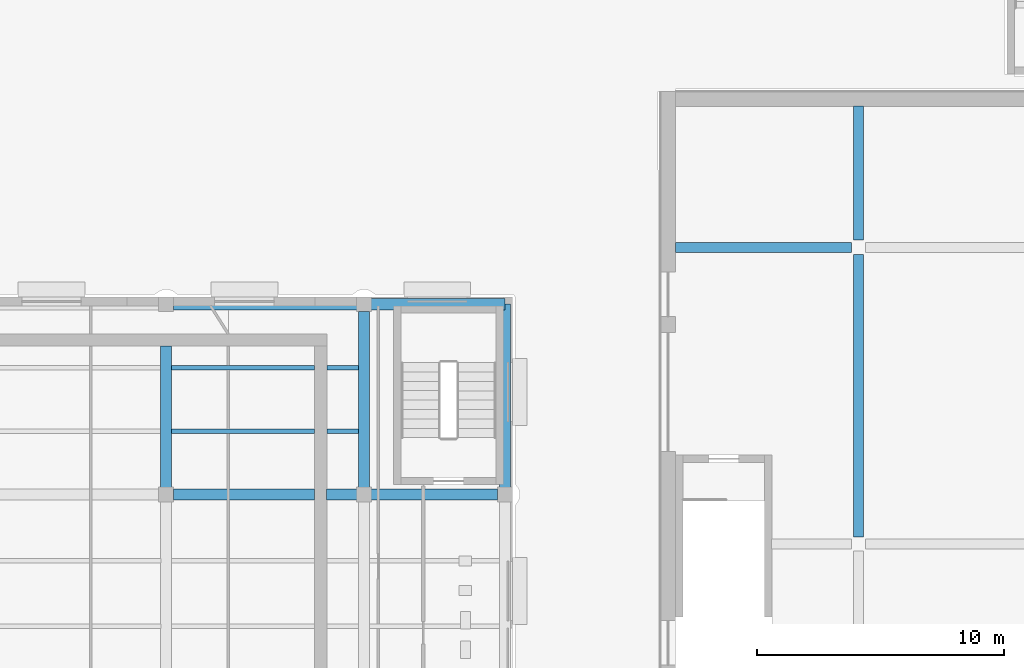
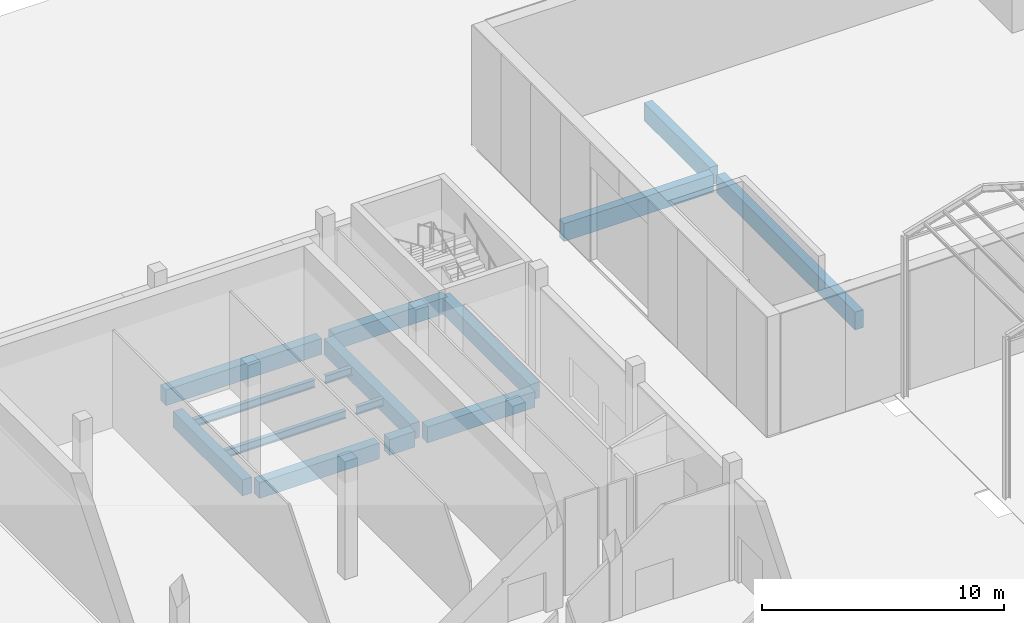
# One storey, part 43 of 155: 15 beams.
"""IFC4 building model written with IfcOpenShell, lengths in metres."""

from ifc_helpers import new_model, si_unit, direction, frame, origin, origin_2d, place, context, subcontext, project, spatial, rectangle, i_section, extrude, material, material_profile, profile_set, type_object, element, save


model = new_model("IFC4")

# Units and contexts
model_context = context("Model", 3, precision=1e-05, world=origin(), true_north=direction((0.0, 1.0)))
body_context = subcontext(model_context, "Body", "Model", "MODEL_VIEW")
ifc_project = project(units=[si_unit("LENGTHUNIT", "METRE"), si_unit("AREAUNIT", "SQUARE_METRE"), si_unit("VOLUMEUNIT", "CUBIC_METRE"), si_unit("PLANEANGLEUNIT", "RADIAN"), si_unit("MASSUNIT", "GRAM", prefix="KILO")], contexts=[model_context])

# Site, building, storey
site_placement = place(None, origin())
site = spatial("IfcSite", under=ifc_project, at=site_placement, CompositionType="ELEMENT")
building_placement = place(site_placement, origin())
building = spatial("IfcBuilding", under=site, at=building_placement, Name="Lunette Opera House", CompositionType="ELEMENT")
storey_placement = place(building_placement, origin())
storey = spatial("IfcBuildingStorey", under=building, at=storey_placement, Name="L00", CompositionType="ELEMENT", Elevation=0.0)

# Beams
ifc_material_1 = material(Name="Concrete C35/45", Category="concrete")
ifc_material_profile_1 = material_profile(ifc_material_1, rectangle(XDim=0.39990234375, YDim=0.89990234375, at=origin_2d()), Name="RC BEAM 400X900")
ifc_profile_set_1 = profile_set([ifc_material_profile_1], Name="Concrete C35/45")
beam_type_1 = type_object("IfcBeamType", Name="RC BEAM 400X900", PredefinedType="BEAM", material=ifc_profile_set_1)
beam_1_placement = place(storey_placement, frame((60.590087890625, 114.0, -0.75), z_axis=(1.0, 0.0, 0.0), x_axis=(0.0, 1.0, 0.0)))
element("IfcBeam", 1, at=beam_1_placement, inside=storey, type_object=beam_type_1, Name="beam-ST-L00-SW-X1140-1", PredefinedType="BEAM", context=body_context, shape_type="SweptSolid", body=[
    extrude(rectangle(XDim=0.39990234375, YDim=0.89990234375, at=origin_2d()), origin(), (0.0, 0.0, 1.0), 7.119873046875),
])
beam_2_placement = place(storey_placement, frame((68.0, 102.2900390625, -0.75), z_axis=(0.0, 1.0, 0.0), x_axis=(-1.0, 0.0, 0.0)))
element("IfcBeam", 2, at=beam_2_placement, inside=storey, type_object=beam_type_1, Name="beam-ST-L00-SW-Y680-2", PredefinedType="BEAM", context=body_context, shape_type="SweptSolid", body=[
    extrude(rectangle(XDim=0.39990234375, YDim=0.89990234375, at=origin_2d()), origin(), (0.0, 0.0, 1.0), 11.419921875),
])
beam_3_placement = place(storey_placement, frame((68.0, 114.2900390625, -0.75), z_axis=(0.0, 1.0, 0.0), x_axis=(-1.0, 0.0, 0.0)))
element("IfcBeam", 3, at=beam_3_placement, inside=storey, type_object=beam_type_1, Name="beam-ST-L00-SW-Y680-3", PredefinedType="BEAM", context=body_context, shape_type="SweptSolid", body=[
    extrude(rectangle(XDim=0.39990234375, YDim=0.89990234375, at=origin_2d()), origin(), (0.0, 0.0, 1.0), 5.419921875),
])
ifc_material_2 = material(Name="Concrete C35/45", Category="concrete")
ifc_material_profile_2 = material_profile(ifc_material_2, rectangle(XDim=0.449951171875, YDim=0.800048828125, at=origin_2d()), Name="RC BEAM 450X800")
ifc_profile_set_2 = profile_set([ifc_material_profile_2], Name="Concrete C35/45")
beam_type_2 = type_object("IfcBeamType", Name="RC BEAM 450X800", PredefinedType="BEAM", material=ifc_profile_set_2)
beam_4_placement = place(storey_placement, frame((40.0, 104.2900390625, -0.550048828125), z_axis=(0.0, 1.0, 0.0), x_axis=(-1.0, 0.0, 0.0)))
element("IfcBeam", 4, at=beam_4_placement, inside=storey, type_object=beam_type_2, Name="beam-RW-L00-L00-GY45", PredefinedType="BEAM", context=body_context, shape_type="SweptSolid", body=[
    extrude(rectangle(XDim=0.449951171875, YDim=0.800048828125, at=origin_2d()), origin(), (0.0, 0.0, 1.0), 5.719970703125),
])
beam_5_placement = place(storey_placement, frame((48.0, 104.2900390625, -0.550048828125), z_axis=(0.0, 1.0, 0.0), x_axis=(-1.0, 0.0, 0.0)))
element("IfcBeam", 5, at=beam_5_placement, inside=storey, type_object=beam_type_2, Name="beam-RW-L00-L00-GY55", PredefinedType="BEAM", context=body_context, shape_type="SweptSolid", body=[
    extrude(rectangle(XDim=0.449951171875, YDim=0.800048828125, at=origin_2d()), origin(), (0.0, 0.0, 1.0), 7.119873046875),
])
beam_6_placement = place(storey_placement, frame((53.699951171875, 104.2900390625, -0.550048828125), z_axis=(0.0, 1.0, 0.0), x_axis=(-1.0, 0.0, 0.0)))
element("IfcBeam", 6, at=beam_6_placement, inside=storey, type_object=beam_type_2, Name="beam-RW-L00-L00-GY65", PredefinedType="BEAM", context=body_context, shape_type="SweptSolid", body=[
    extrude(rectangle(XDim=0.449951171875, YDim=0.800048828125, at=origin_2d()), origin(), (0.0, 0.0, 1.0), 7.409912109375),
])
beam_7_placement = place(storey_placement, frame((40.2900390625, 104.0, -0.550048828125), z_axis=(1.0, 0.0, 0.0), x_axis=(0.0, 1.0, 0.0)))
element("IfcBeam", 7, at=beam_7_placement, inside=storey, type_object=beam_type_2, Name="beam-RW-L00-L00-GX45", PredefinedType="BEAM", context=body_context, shape_type="SweptSolid", body=[
    extrude(rectangle(XDim=0.449951171875, YDim=0.800048828125, at=origin_2d()), origin(), (0.0, 0.0, 1.0), 5.719970703125),
])
beam_8_placement = place(storey_placement, frame((46.489990234375, 104.0, -0.550048828125), z_axis=(1.0, 0.0, 0.0), x_axis=(0.0, 1.0, 0.0)))
element("IfcBeam", 8, at=beam_8_placement, inside=storey, type_object=beam_type_2, Name="beam-RW-L00-L00-GX45-1", PredefinedType="BEAM", context=body_context, shape_type="SweptSolid", body=[
    extrude(rectangle(XDim=0.449951171875, YDim=0.800048828125, at=origin_2d()), origin(), (0.0, 0.0, 1.0), 1.219970703125),
])
beam_9_placement = place(storey_placement, frame((48.2900390625, 104.0, -0.550048828125), z_axis=(1.0, 0.0, 0.0), x_axis=(0.0, 1.0, 0.0)))
element("IfcBeam", 9, at=beam_9_placement, inside=storey, type_object=beam_type_2, Name="beam-RW-L00-L00-GX55", PredefinedType="BEAM", context=body_context, shape_type="SweptSolid", body=[
    extrude(rectangle(XDim=0.449951171875, YDim=0.800048828125, at=origin_2d()), origin(), (0.0, 0.0, 1.0), 5.119873046875),
])
beam_10_placement = place(storey_placement, frame((40.2900390625, 111.699951171875, -0.550048828125), z_axis=(1.0, 0.0, 0.0), x_axis=(0.0, 1.0, 0.0)))
element("IfcBeam", 10, at=beam_10_placement, inside=storey, type_object=beam_type_2, Name="beam-RW-L00-L00-GX46", PredefinedType="BEAM", context=body_context, shape_type="SweptSolid", body=[
    extrude(rectangle(XDim=0.449951171875, YDim=0.800048828125, at=origin_2d()), origin(), (0.0, 0.0, 1.0), 7.419921875),
])
beam_11_placement = place(storey_placement, frame((48.2900390625, 111.699951171875, -0.550048828125), z_axis=(1.0, 0.0, 0.0), x_axis=(0.0, 1.0, 0.0)))
element("IfcBeam", 11, at=beam_11_placement, inside=storey, type_object=beam_type_2, Name="beam-RW-L00-L00-GX56", PredefinedType="BEAM", context=body_context, shape_type="SweptSolid", body=[
    extrude(rectangle(XDim=0.449951171875, YDim=0.800048828125, at=origin_2d()), origin(), (0.0, 0.0, 1.0), 5.409912109375),
])
ifc_material_3 = material(Name="Steel S355", Category="steel")
ifc_material_profile_3 = material_profile(ifc_material_3, i_section(OverallWidth=0.179931640625, OverallDepth=0.39990234375, WebThickness=0.008544921875, FlangeThickness=0.013427734375, FilletRadius=0.02099609375, at=origin_2d()), Name="IPE 400")
ifc_profile_set_3 = profile_set([ifc_material_profile_3], Name="Steel S355")
beam_type_3 = type_object("IfcBeamType", Name="STEEL BEAM IPE 400", PredefinedType="BEAM", material=ifc_profile_set_3)
beam_12_placement = place(storey_placement, frame((40.215087890625, 106.56689453125, -0.35009765625), z_axis=(1.0, 0.0, 0.0), x_axis=(0.0, 1.0, 0.0)))
element("IfcBeam", 12, at=beam_12_placement, inside=storey, type_object=beam_type_3, Name="beam-RW-L00-L00-SX451", PredefinedType="BEAM", context=body_context, shape_type="SweptSolid", body=[
    extrude(i_section(OverallWidth=0.179931640625, OverallDepth=0.39990234375, WebThickness=0.008544921875, FlangeThickness=0.013427734375, FilletRadius=0.02099609375, at=origin_2d()), origin(), (0.0, 0.0, 1.0), 5.784912109375),
])
beam_13_placement = place(storey_placement, frame((46.5, 106.56689453125, -0.35009765625), z_axis=(1.0, 0.0, 0.0), x_axis=(0.0, 1.0, 0.0)))
element("IfcBeam", 13, at=beam_13_placement, inside=storey, type_object=beam_type_3, Name="beam-RW-L00-L00-SX451-01", PredefinedType="BEAM", context=body_context, shape_type="SweptSolid", body=[
    extrude(i_section(OverallWidth=0.179931640625, OverallDepth=0.39990234375, WebThickness=0.008544921875, FlangeThickness=0.013427734375, FilletRadius=0.02099609375, at=origin_2d()), origin(), (0.0, 0.0, 1.0), 1.284912109375),
])
beam_14_placement = place(storey_placement, frame((40.215087890625, 109.133056640625, -0.35009765625), z_axis=(1.0, 0.0, 0.0), x_axis=(0.0, 1.0, 0.0)))
element("IfcBeam", 14, at=beam_14_placement, inside=storey, type_object=beam_type_3, Name="beam-RW-L00-L00-SX452", PredefinedType="BEAM", context=body_context, shape_type="SweptSolid", body=[
    extrude(i_section(OverallWidth=0.179931640625, OverallDepth=0.39990234375, WebThickness=0.008544921875, FlangeThickness=0.013427734375, FilletRadius=0.02099609375, at=origin_2d()), origin(), (0.0, 0.0, 1.0), 5.784912109375),
])
beam_15_placement = place(storey_placement, frame((46.5, 109.133056640625, -0.35009765625), z_axis=(1.0, 0.0, 0.0), x_axis=(0.0, 1.0, 0.0)))
element("IfcBeam", 15, at=beam_15_placement, inside=storey, type_object=beam_type_3, Name="beam-RW-L00-L00-SX452-01", PredefinedType="BEAM", context=body_context, shape_type="SweptSolid", body=[
    extrude(i_section(OverallWidth=0.179931640625, OverallDepth=0.39990234375, WebThickness=0.008544921875, FlangeThickness=0.013427734375, FilletRadius=0.02099609375, at=origin_2d()), origin(), (0.0, 0.0, 1.0), 1.284912109375),
])

save(model, "model.ifc")
